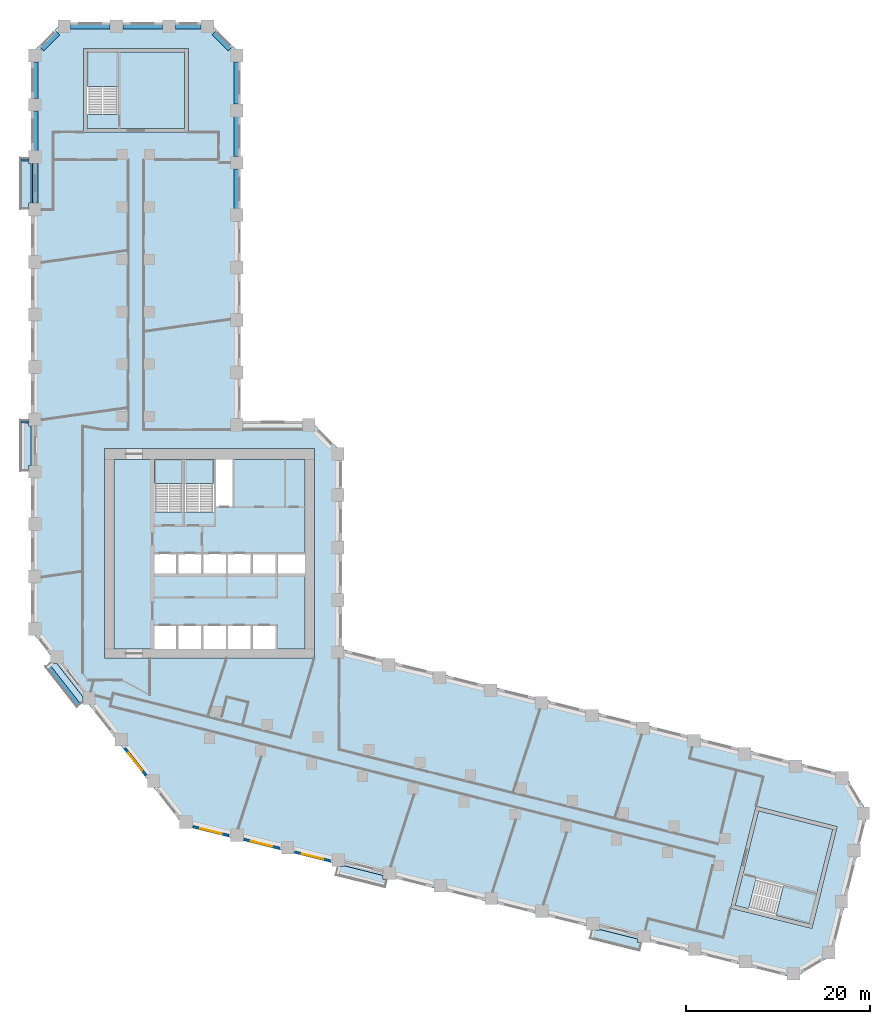
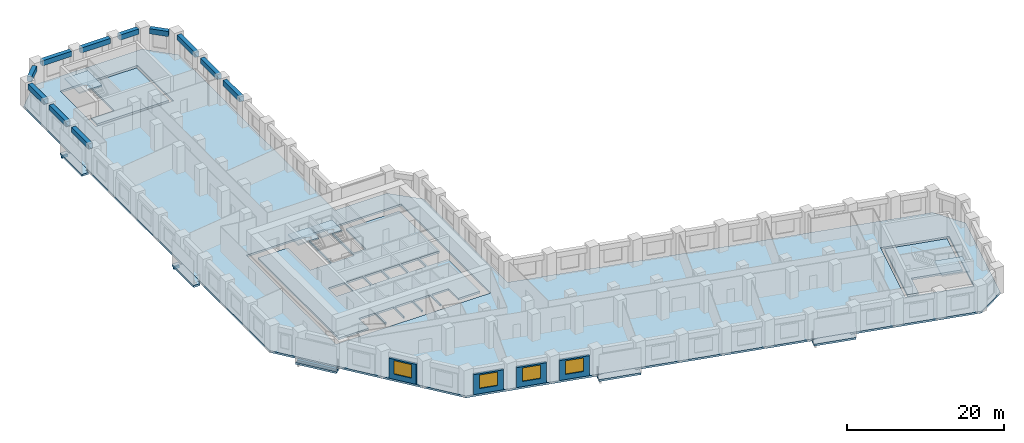
# One storey, part 2 of 12: 13 beams, 13 slabs, 5 walls, 4 windows, 4 openings, 4 elements without a shape of their own.
"""IFC4 building model written with IfcOpenShell, lengths in metres."""

from ifc_helpers import new_model, si_unit, direction, frame, frame_2d, origin, origin_2d, place, context, subcontext, project, spatial, polyline, rectangle, outline, extrude, material, layer, layer_set, material_profile, profile_set, type_object, element, fill, aggregate, save


model = new_model("IFC4")

# Units and contexts
model_context = context("Model", 3, precision=1e-05, world=origin(), true_north=direction((0.0, 1.0)))
body_context = subcontext(model_context, "Body", "Model", "MODEL_VIEW")
ifc_project = project(units=[si_unit("LENGTHUNIT", "METRE"), si_unit("AREAUNIT", "SQUARE_METRE"), si_unit("VOLUMEUNIT", "CUBIC_METRE"), si_unit("PLANEANGLEUNIT", "RADIAN"), si_unit("MASSUNIT", "GRAM", prefix="KILO")], contexts=[model_context])

# Site, building, storey
site_placement = place(None, origin())
site = spatial("IfcSite", under=ifc_project, at=site_placement, CompositionType="ELEMENT")
building_placement = place(site_placement, origin())
building = spatial("IfcBuilding", under=site, at=building_placement, Name="Meshkara Civic Tower", CompositionType="ELEMENT")
storey_placement = place(building_placement, frame((0.0, 0.0, 62.39990234375)))
storey = spatial("IfcBuildingStorey", under=building, at=storey_placement, Name="L13", CompositionType="ELEMENT", Elevation=62.39990234375)

# Beams
ifc_material_1 = material(Name="Concrete C50", Category="concrete")
ifc_material_profile_1 = material_profile(ifc_material_1, rectangle(XDim=0.25, YDim=0.39990234375, at=origin_2d()))
ifc_profile_set_1 = profile_set([ifc_material_profile_1], Name="Concrete C50")
beam_type_1 = type_object("IfcBeamType", Name="Balcony bracket beam RC 250x400 C50", PredefinedType="BEAM", material=ifc_profile_set_1)
for number, where, z_axis, x_axis, name in (
    (1, (-0.2451171875, 68.2548828125, -0.5), (-1.0, 0.0, 0.0), (0.0, -1.0, 0.0), "Balcony bracket beam"),
    (2, (-0.2451171875, 39.7548828125, -0.5), (-1.0, 0.0, 0.0), (0.0, -1.0, 0.0), "Balcony bracket beam"),
):
    element("IfcBeam", number, at=place(storey_placement, frame(where, z_axis=z_axis, x_axis=x_axis)), inside=storey, type_object=beam_type_1, Name=name, PredefinedType="BEAM", context=body_context, shape_type="SweptSolid", body=[
        extrude(rectangle(XDim=0.25, YDim=0.39990234375, at=origin_2d()), origin(), (0.0, 0.0, 1.0), 0.85498046875),
    ])
ifc_material_2 = material(Name="Concrete C70", Category="concrete")
ifc_material_profile_2 = material_profile(ifc_material_2, rectangle(XDim=0.60009765625, YDim=0.800048828125, at=origin_2d()))
ifc_profile_set_2 = profile_set([ifc_material_profile_2], Name="Concrete C70")
beam_type_2 = type_object("IfcBeamType", Name="Spandrel beam RC 600x800 C70", PredefinedType="BEAM", material=ifc_profile_set_2)
beam_1_placement = place(storey_placement, frame((22.35009765625, 62.945068359375, 3.5), z_axis=(0.0, 1.0, 0.0), x_axis=(-1.0, 0.0, 0.0)))
element("IfcBeam", 3, at=beam_1_placement, inside=storey, type_object=beam_type_2, Name="Spandrel beam AE04-AE05", PredefinedType="BEAM", context=body_context, shape_type="SweptSolid", body=[
    extrude(rectangle(XDim=0.60009765625, YDim=0.800048828125, at=origin_2d()), origin(), (0.0, 0.0, 1.0), 4.309814453125),
])
beam_2_placement = place(storey_placement, frame((22.35009765625, 68.64501953125, 3.5), z_axis=(0.0, 1.0, 0.0), x_axis=(-1.0, 0.0, 0.0)))
element("IfcBeam", 4, at=beam_2_placement, inside=storey, type_object=beam_type_2, Name="Spandrel beam AE05-AE06", PredefinedType="BEAM", context=body_context, shape_type="SweptSolid", body=[
    extrude(rectangle(XDim=0.60009765625, YDim=0.800048828125, at=origin_2d()), origin(), (0.0, 0.0, 1.0), 4.31005859375),
])
beam_3_placement = place(storey_placement, frame((22.35009765625, 74.344970703125, 3.5), z_axis=(0.0, 1.0, 0.0), x_axis=(-1.0, 0.0, 0.0)))
element("IfcBeam", 5, at=beam_3_placement, inside=storey, type_object=beam_type_2, Name="Spandrel beam AE06-AEE", PredefinedType="BEAM", context=body_context, shape_type="SweptSolid", body=[
    extrude(rectangle(XDim=0.60009765625, YDim=0.800048828125, at=origin_2d()), origin(), (0.0, 0.0, 1.0), 4.573974609375),
])
beam_4_placement = place(storey_placement, frame((21.653564453125, 80.310546875, 3.5), z_axis=(-0.707155737934, 0.70705782105, 0.0), x_axis=(-0.70705782105, -0.707155737934, 0.0)))
element("IfcBeam", 6, at=beam_4_placement, inside=storey, type_object=beam_type_2, Name="Spandrel beam AEE-ATiE", PredefinedType="BEAM", context=body_context, shape_type="SweptSolid", body=[
    extrude(rectangle(XDim=0.60009765625, YDim=0.800048828125, at=origin_2d()), origin(), (0.0, 0.0, 1.0), 2.493408203125),
])
beam_5_placement = place(storey_placement, frame((18.4990234375, 82.77001953125, 3.5), z_axis=(-1.0, 0.0, 0.0), x_axis=(0.0, -1.0, 0.0)))
element("IfcBeam", 7, at=beam_5_placement, inside=storey, type_object=beam_type_2, Name="Spandrel beam AT02-ATiE", PredefinedType="BEAM", context=body_context, shape_type="SweptSolid", body=[
    extrude(rectangle(XDim=0.60009765625, YDim=0.800048828125, at=origin_2d()), origin(), (0.0, 0.0, 1.0), 2.798095703125),
])
for number, where, z_axis, x_axis, name in (
    (8, (14.31103515625, 82.77001953125, 3.5), (-1.0, 0.0, 0.0), (0.0, -1.0, 0.0), "Spandrel beam AT01-AT02"),
    (9, (8.611083984375, 82.77001953125, 3.5), (-1.0, 0.0, 0.0), (0.0, -1.0, 0.0), "Spandrel beam AT00-AT01"),
):
    element("IfcBeam", number, at=place(storey_placement, frame(where, z_axis=z_axis, x_axis=x_axis)), inside=storey, type_object=beam_type_2, Name=name, PredefinedType="BEAM", context=body_context, shape_type="SweptSolid", body=[
        extrude(rectangle(XDim=0.60009765625, YDim=0.800048828125, at=origin_2d()), origin(), (0.0, 0.0, 1.0), 4.31005859375),
    ])
beam_6_placement = place(storey_placement, frame((2.909423828125, 82.073486328125, 3.5), z_axis=(-0.707106781187, -0.707106781187, 0.0), x_axis=(0.707106781187, -0.707106781187, 0.0)))
element("IfcBeam", 10, at=beam_6_placement, inside=storey, type_object=beam_type_2, Name="Spandrel beam AT00-ATo00", PredefinedType="BEAM", context=body_context, shape_type="SweptSolid", body=[
    extrude(rectangle(XDim=0.60009765625, YDim=0.800048828125, at=origin_2d()), origin(), (0.0, 0.0, 1.0), 2.4931640625),
])
beam_7_placement = place(storey_placement, frame((0.449951171875, 78.9189453125, 3.5), z_axis=(0.0, -1.0, 0.0), x_axis=(1.0, 0.0, 0.0)))
element("IfcBeam", 11, at=beam_7_placement, inside=storey, type_object=beam_type_2, Name="Spandrel beam ATo00-AW10", PredefinedType="BEAM", context=body_context, shape_type="SweptSolid", body=[
    extrude(rectangle(XDim=0.60009765625, YDim=0.800048828125, at=origin_2d()), origin(), (0.0, 0.0, 1.0), 3.968994140625),
])
for number, where, z_axis, x_axis, name in (
    (12, (0.449951171875, 73.56005859375, 3.5), (0.0, -1.0, 0.0), (1.0, 0.0, 0.0), "Spandrel beam AW09-AW10"),
    (13, (0.449951171875, 67.860107421875, 3.5), (0.0, -1.0, 0.0), (1.0, 0.0, 0.0), "Spandrel beam AW08-AW09"),
):
    element("IfcBeam", number, at=place(storey_placement, frame(where, z_axis=z_axis, x_axis=x_axis)), inside=storey, type_object=beam_type_2, Name=name, PredefinedType="BEAM", context=body_context, shape_type="SweptSolid", body=[
        extrude(rectangle(XDim=0.60009765625, YDim=0.800048828125, at=origin_2d()), origin(), (0.0, 0.0, 1.0), 4.31005859375),
    ])

# Slabs
ifc_material_3 = material(Name="Concrete C40", Category="concrete")
ifc_layer_1 = layer(ifc_material_3, 0.300048828125)
ifc_layer_set_1 = layer_set([ifc_layer_1], Name="BALCONY SLAB")
slab_type_1 = type_object("IfcSlabType", Name="BALCONY SLAB", PredefinedType="FLOOR", material=ifc_layer_set_1)
slab_1_placement = place(storey_placement, frame((0.0, 0.0, -0.2998046875)))
element("IfcSlab", 14, at=slab_1_placement, inside=storey, type_object=slab_type_1, Name="Balcony slab", PredefinedType="FLOOR", context=body_context, shape_type="SweptSolid", body=[
    extrude(outline(polyline([(-1.199951171875, 62.9150390625), (-1.199951171875, 68.4951171875), (-0.25, 68.4951171875), (-0.25, 67.85498046875), (0.0, 67.85498046875), (0.0, 63.554931640625), (-0.25, 63.554931640625), (-0.25, 62.9150390625), (-1.199951171875, 62.9150390625)])), origin(), (0.0, 0.0, 1.0), 0.2998046875),
])
slab_2_placement = place(storey_placement, frame((0.0, 0.0, -0.2998046875)))
element("IfcSlab", 15, at=slab_2_placement, inside=storey, type_object=slab_type_1, Name="Balcony slab", PredefinedType="FLOOR", context=body_context, shape_type="SweptSolid", body=[
    extrude(outline(polyline([(-1.199951171875, 34.4150390625), (-1.199951171875, 39.9951171875), (-0.25, 39.9951171875), (-0.25, 39.35498046875), (0.0, 39.35498046875), (0.0, 35.054931640625), (-0.25, 35.054931640625), (-0.25, 34.4150390625), (-1.199951171875, 34.4150390625)])), origin(), (0.0, 0.0, 1.0), 0.2998046875),
])
slab_3_placement = place(storey_placement, frame((0.0, 0.0, -0.2998046875)))
element("IfcSlab", 16, at=slab_3_placement, inside=storey, type_object=slab_type_1, Name="Balcony slab", PredefinedType="FLOOR", context=body_context, shape_type="SweptSolid", body=[
    extrude(outline(polyline([(4.986083984375, 8.76904296875), (1.551025390625, 13.166015625), (2.114013671875, 13.60595703125), (2.114013671875, 13.529052734375), (2.7900390625, 13.529052734375), (5.623046875, 9.903076171875), (5.623046875, 9.26611328125), (4.986083984375, 8.76904296875)])), origin(), (0.0, 0.0, 1.0), 0.2998046875),
])
slab_4_placement = place(storey_placement, frame((0.0, 0.0, -0.2998046875)))
element("IfcSlab", 17, at=slab_4_placement, inside=storey, type_object=slab_type_1, Name="Balcony slab", PredefinedType="FLOOR", context=body_context, shape_type="SweptSolid", body=[
    extrude(outline(polyline([(38.51708984375, -10.840087890625), (33.10205078125, -9.489990234375), (33.330078125, -8.574951171875), (34.14306640625, -8.574951171875), (34.14306640625, -8.512939453125), (38.27392578125, -9.54296875), (38.27392578125, -9.9541015625), (38.738037109375, -9.9541015625), (38.51708984375, -10.840087890625)])), origin(), (0.0, 0.0, 1.0), 0.2998046875),
])
slab_5_placement = place(storey_placement, frame((0.0, 0.0, -0.2998046875)))
element("IfcSlab", 18, at=slab_5_placement, inside=storey, type_object=slab_type_1, Name="Balcony slab", PredefinedType="FLOOR", context=body_context, shape_type="SweptSolid", body=[
    extrude(outline(polyline([(66.169921875, -17.735107421875), (60.756103515625, -16.385009765625), (60.98388671875, -15.468994140625), (61.797119140625, -15.468994140625), (61.797119140625, -15.407958984375), (65.927001953125, -16.43701171875), (65.927001953125, -16.847900390625), (66.39111328125, -16.847900390625), (66.169921875, -17.735107421875)])), origin(), (0.0, 0.0, 1.0), 0.2998046875),
])
ifc_material_4 = material(Name="Concrete C40/50", Category="concrete")
ifc_layer_2 = layer(ifc_material_4, 0.300048828125)
ifc_layer_set_2 = layer_set([ifc_layer_2], Name="Core floor slab 300 C40/50")
slab_type_2 = type_object("IfcSlabType", Name="Core floor slab 300 C40/50", PredefinedType="FLOOR", material=ifc_layer_set_2)
slab_6_placement = place(storey_placement, frame((0.0, 0.0, -0.2998046875)))
element("IfcSlab", 19, at=slab_6_placement, inside=storey, type_object=slab_type_2, Name="Core floor K", PredefinedType="FLOOR", context=body_context, shape_type="SweptSolid", body=[
    extrude(outline(polyline([(9.0, 35.699951171875), (13.39990234375, 35.699951171875), (13.39990234375, 30.00146484375), (16.5, 30.00146484375), (16.5, 35.699951171875), (16.699951171875, 35.699951171875), (16.699951171875, 30.00146484375), (19.89990234375, 30.00146484375), (19.89990234375, 35.699951171875), (20.10009765625, 35.699951171875), (20.10009765625, 30.574951171875), (21.925048828125, 30.574951171875), (21.925048828125, 35.699951171875), (29.800048828125, 35.699951171875), (29.800048828125, 25.39990234375), (26.800048828125, 25.39990234375), (26.800048828125, 23.300048828125), (29.800048828125, 23.300048828125), (29.800048828125, 15.10009765625), (26.60009765625, 15.10009765625), (26.60009765625, 17.60009765625), (24.10009765625, 17.60009765625), (24.10009765625, 15.10009765625), (23.89990234375, 15.10009765625), (23.89990234375, 17.60009765625), (21.39990234375, 17.60009765625), (21.39990234375, 15.10009765625), (21.199951171875, 15.10009765625), (21.199951171875, 17.60009765625), (18.699951171875, 17.60009765625), (18.699951171875, 15.10009765625), (18.5, 15.10009765625), (18.5, 17.60009765625), (16.0, 17.60009765625), (16.0, 15.10009765625), (15.800048828125, 15.10009765625), (15.800048828125, 17.60009765625), (13.39990234375, 17.60009765625), (13.39990234375, 15.10009765625), (9.0, 15.10009765625), (9.0, 35.699951171875)]), holes=[polyline([(13.39990234375, 25.39990234375), (13.39990234375, 23.300048828125), (15.800048828125, 23.300048828125), (15.800048828125, 25.39990234375), (13.39990234375, 25.39990234375)]), polyline([(18.5, 23.300048828125), (18.5, 25.39990234375), (16.0, 25.39990234375), (16.0, 23.300048828125), (18.5, 23.300048828125)]), polyline([(18.699951171875, 25.39990234375), (18.699951171875, 23.300048828125), (21.199951171875, 23.300048828125), (21.199951171875, 25.39990234375), (18.699951171875, 25.39990234375)]), polyline([(21.39990234375, 23.300048828125), (23.89990234375, 23.300048828125), (23.89990234375, 25.39990234375), (21.39990234375, 25.39990234375), (21.39990234375, 23.300048828125)]), polyline([(26.60009765625, 25.39990234375), (24.10009765625, 25.39990234375), (24.10009765625, 23.300048828125), (26.60009765625, 23.300048828125), (26.60009765625, 25.39990234375)])]), origin(), (0.0, 0.0, 1.0), 0.2998046875),
])
slab_7_placement = place(storey_placement, frame((0.0, 0.0, -0.2998046875)))
element("IfcSlab", 20, at=slab_7_placement, inside=storey, type_object=slab_type_2, Name="Core floor EA", PredefinedType="FLOOR", context=body_context, shape_type="SweptSolid", body=[
    extrude(outline(polyline([(16.699951171875, 71.669921875), (16.699951171875, 79.969970703125), (9.5, 79.969970703125), (9.5, 73.17138671875), (6.10009765625, 73.17138671875), (6.10009765625, 71.669921875), (16.699951171875, 71.669921875)])), origin(), (0.0, 0.0, 1.0), 0.2998046875),
])
slab_8_placement = place(storey_placement, frame((0.0, 0.0, -0.2998046875)))
element("IfcSlab", 21, at=slab_8_placement, inside=storey, type_object=slab_type_2, Name="Core floor EB", PredefinedType="FLOOR", context=body_context, shape_type="SweptSolid", body=[
    extrude(outline(polyline([(79.11181640625, -2.513671875), (87.165283203125, -4.521484375), (85.423583984375, -11.507568359375), (78.826904296875, -9.863037109375), (78.00439453125, -13.161865234375), (76.547607421875, -12.798583984375), (79.11181640625, -2.513671875)])), origin(), (0.0, 0.0, 1.0), 0.2998046875),
])

# Stair, slab
ifc_material_5 = material(Name="Precast concrete C40/50", Category="concrete")
stair_type_1 = type_object("IfcStairType", Name="Exit stair half-turn 24 risers precast", PredefinedType="HALF_TURN_STAIR", material=ifc_material_5)
stair_1_placement = place(storey_placement, origin())
stair_1 = element("IfcStair", 22, at=stair_1_placement, inside=storey, type_object=stair_type_1, Name="L13 exit stair 1", PredefinedType="HALF_TURN_STAIR")
ifc_material_6 = material(Name="Precast concrete C40/50", Category="concrete")
ifc_layer_3 = layer(ifc_material_6, 0.199951171875)
ifc_layer_set_3 = layer_set([ifc_layer_3], Name="Exit stair landing 200")
slab_type_3 = type_object("IfcSlabType", Name="Exit stair landing 200", PredefinedType="LANDING", material=ifc_layer_set_3)
slab_9_placement = place(storey_placement, frame((0.0, 0.0, 1.900146484375)))
slab_9 = element("IfcSlab", 23, at=slab_9_placement, type_object=slab_type_3, Name="ST1 landing 1", PredefinedType="LANDING", context=body_context, shape_type="SweptSolid", body=[
    extrude(outline(polyline([(16.5, 33.07861328125), (16.5, 35.699951171875), (13.39990234375, 35.699951171875), (13.39990234375, 33.07861328125), (16.5, 33.07861328125)])), origin(), (0.0, 0.0, 1.0), 0.199951171875),
])
aggregate(stair_1, [slab_9])

stair_2_placement = place(storey_placement, origin())
stair_2 = element("IfcStair", 24, at=stair_2_placement, inside=storey, type_object=stair_type_1, Name="L13 exit stair 2", PredefinedType="HALF_TURN_STAIR")
slab_10_placement = place(storey_placement, frame((0.0, 0.0, 1.900146484375)))
slab_10 = element("IfcSlab", 25, at=slab_10_placement, type_object=slab_type_3, Name="ST2 landing 1", PredefinedType="LANDING", context=body_context, shape_type="SweptSolid", body=[
    extrude(outline(polyline([(19.89990234375, 33.07861328125), (19.89990234375, 35.699951171875), (16.699951171875, 35.699951171875), (16.699951171875, 33.07861328125), (19.89990234375, 33.07861328125)])), origin(), (0.0, 0.0, 1.0), 0.199951171875),
])
aggregate(stair_2, [slab_10])

ifc_material_7 = material(Name="Precast concrete C40/50", Category="concrete")
stair_type_2 = type_object("IfcStairType", Name="Exit stair half-turn 24 risers 1500 precast", PredefinedType="HALF_TURN_STAIR", material=ifc_material_7)
stair_3_placement = place(storey_placement, origin())
stair_3 = element("IfcStair", 26, at=stair_3_placement, inside=storey, type_object=stair_type_2, Name="L13 exit stair A from B2", PredefinedType="HALF_TURN_STAIR")
slab_11_placement = place(storey_placement, frame((0.0, 0.0, 1.900146484375)))
slab_11 = element("IfcSlab", 27, at=slab_11_placement, type_object=slab_type_3, Name="ESA1 landing 1", PredefinedType="LANDING", context=body_context, shape_type="SweptSolid", body=[
    extrude(outline(polyline([(9.5, 76.24853515625), (9.5, 79.969970703125), (6.10009765625, 79.969970703125), (6.10009765625, 76.24853515625), (9.5, 76.24853515625)])), origin(), (0.0, 0.0, 1.0), 0.199951171875),
])
aggregate(stair_3, [slab_11])

stair_4_placement = place(storey_placement, origin())
stair_4 = element("IfcStair", 28, at=stair_4_placement, inside=storey, type_object=stair_type_2, Name="L13 exit stair B from B2", PredefinedType="HALF_TURN_STAIR")
slab_12_placement = place(storey_placement, frame((0.0, 0.0, 1.900146484375)))
slab_12 = element("IfcSlab", 29, at=slab_12_placement, type_object=slab_type_3, Name="ESB1 landing 1", PredefinedType="LANDING", context=body_context, shape_type="SweptSolid", body=[
    extrude(outline(polyline([(80.98974609375, -13.9072265625), (84.600830078125, -14.80810546875), (85.424072265625, -11.50830078125), (81.81298828125, -10.607421875), (80.98974609375, -13.9072265625)])), origin(), (0.0, 0.0, 1.0), 0.199951171875),
])
aggregate(stair_4, [slab_12])

# Slab
ifc_material_8 = material(Name="Concrete C50", Category="concrete")
ifc_layer_4 = layer(ifc_material_8, 0.300048828125)
ifc_layer_set_4 = layer_set([ifc_layer_4], Name="Post-tensioned flat slab 300 C50")
slab_type_4 = type_object("IfcSlabType", Name="Post-tensioned flat slab 300 C50", PredefinedType="FLOOR", material=ifc_layer_set_4)
slab_13_placement = place(storey_placement, frame((0.0, 0.0, -0.2998046875)))
element("IfcSlab", 30, at=slab_13_placement, inside=storey, type_object=slab_type_4, Name="Post-tensioned flat slab L13", PredefinedType="FLOOR", context=body_context, shape_type="SweptSolid", body=[
    extrude(outline(polyline([(87.10595703125, -18.193115234375), (82.9599609375, -20.68408203125), (16.592041015625, -4.136962890625), (0.0, 17.10009765625), (0.0, 79.800048828125), (3.419921875, 83.219970703125), (19.3798828125, 83.219970703125), (22.800048828125, 79.800048828125), (22.800048828125, 39.89990234375), (30.3798828125, 39.89990234375), (33.800048828125, 36.47998046875), (33.800048828125, 15.071044921875), (88.47607421875, 1.43798828125), (90.967041015625, -2.70703125), (87.10595703125, -18.193115234375)]), holes=[polyline([(84.89208984375, -15.2919921875), (87.64990234375, -4.22998046875), (78.821044921875, -2.029052734375), (76.06298828125, -13.090087890625), (84.89208984375, -15.2919921875)]), polyline([(8.0, 14.10009765625), (30.800048828125, 14.10009765625), (30.800048828125, 36.89990234375), (8.0, 36.89990234375), (8.0, 14.10009765625)]), polyline([(5.699951171875, 80.3701171875), (5.699951171875, 71.27001953125), (17.10009765625, 71.27001953125), (17.10009765625, 80.3701171875), (5.699951171875, 80.3701171875)])]), origin(), (0.0, 0.0, 1.0), 0.2998046875),
])

# Wall, opening, window
ifc_material_9 = material(Name="Insulated infill panel with bronze anodised aluminium cladding", Category="aluminium")
ifc_layer_5 = layer(ifc_material_9, 0.300048828125)
ifc_layer_set_5 = layer_set([ifc_layer_5], Name="EXTERNAL INFILL WALL 300")
wall_type_1 = type_object("IfcWallType", Name="EXTERNAL INFILL WALL 300", PredefinedType="SOLIDWALL", material=ifc_layer_set_5)
wall_1_placement = place(storey_placement, frame((10.201904296875, 4.285888671875, 0.0), z_axis=(0.0, 0.0, 1.0), x_axis=(0.615636430057, -0.788030320474, 0.0)))
wall_1 = element("IfcWall", 31, at=wall_1_placement, inside=storey, type_object=wall_type_1, Name="External wall", PredefinedType="SOLIDWALL", context=body_context, shape_type="SweptSolid", body=[
    extrude(rectangle(XDim=3.734375, YDim=0.300048828125, at=frame_2d((1.8671875, 0.0))), origin(), (0.0, 0.0, 1.0), 3.10009765625),
])
opening_1_placement = place(wall_1_placement, frame((0.6669921875, 0.0, 0.800048828125)))
opening_1 = element("IfcOpeningElement", 32, at=opening_1_placement, cuts=wall_1, Name="Opening W7", PredefinedType="OPENING", context=body_context, shape_type="SweptSolid", body=[
    extrude(rectangle(XDim=2.39990234375, YDim=2.10009765625, at=frame_2d((1.199951171875, 1.050048828125))), frame((0.0, 0.159912109375, 0.0), z_axis=(0.0, -1.0, 0.0), x_axis=(1.0, 0.0, 0.0)), (0.0, 0.0, 1.0), 0.320068359375),
])
ifc_material_10 = material(Name="Tinted double glazing", Category="glass")
window_type = type_object("IfcWindowType", Name="WINDOW 2400x2100", PartitioningType="DOUBLE_PANEL_VERTICAL", PredefinedType="WINDOW", material=ifc_material_10)
window_1_placement = place(opening_1_placement, origin())
window_1 = element("IfcWindow", 33, at=window_1_placement, inside=storey, type_object=window_type, Name="Window", OverallHeight=2.10009765625, OverallWidth=2.39990234375, PartitioningType="DOUBLE_PANEL_VERTICAL", PredefinedType="WINDOW", context=body_context, shape_type="SweptSolid", body=[
    extrude(rectangle(XDim=2.39990234375, YDim=2.10009765625, at=frame_2d((1.199951171875, 1.050048828125))), frame((0.0, 0.030029296875, 0.0), z_axis=(0.0, -1.0, 0.0), x_axis=(1.0, 0.0, 0.0)), (0.0, 0.0, 1.0), 0.06005859375),
])
fill(opening_1, window_1)

wall_2_placement = place(storey_placement, frame((17.60205078125, -4.23388671875, 0.0), z_axis=(0.0, 0.0, 1.0), x_axis=(0.970260773365, -0.242062040951, 0.0)))
wall_2 = element("IfcWall", 34, at=wall_2_placement, inside=storey, type_object=wall_type_1, Name="External wall", PredefinedType="SOLIDWALL", context=body_context, shape_type="SweptSolid", body=[
    extrude(rectangle(XDim=4.003173828125, YDim=0.300048828125, at=frame_2d((2.00146484375, 0.0))), origin(), (0.0, 0.0, 1.0), 3.10009765625),
])
opening_2_placement = place(wall_2_placement, frame((0.802001953125, 0.0, 0.800048828125)))
opening_2 = element("IfcOpeningElement", 35, at=opening_2_placement, cuts=wall_2, Name="Opening W7", PredefinedType="OPENING", context=body_context, shape_type="SweptSolid", body=[
    extrude(rectangle(XDim=2.39990234375, YDim=2.10009765625, at=frame_2d((1.199951171875, 1.050048828125))), frame((0.0, 0.159912109375, 0.0), z_axis=(0.0, -1.0, 0.0), x_axis=(1.0, 0.0, 0.0)), (0.0, 0.0, 1.0), 0.320068359375),
])
window_2_placement = place(opening_2_placement, origin())
window_2 = element("IfcWindow", 36, at=window_2_placement, inside=storey, type_object=window_type, Name="Window", OverallHeight=2.10009765625, OverallWidth=2.39990234375, PartitioningType="DOUBLE_PANEL_VERTICAL", PredefinedType="WINDOW", context=body_context, shape_type="SweptSolid", body=[
    extrude(rectangle(XDim=2.39990234375, YDim=2.10009765625, at=frame_2d((1.199951171875, 1.050048828125))), frame((0.0, 0.030029296875, 0.0), z_axis=(0.0, -1.0, 0.0), x_axis=(1.0, 0.0, 0.0)), (0.0, 0.0, 1.0), 0.06005859375),
])
fill(opening_2, window_2)

wall_3_placement = place(storey_placement, frame((23.133056640625, -5.613037109375, 0.0), z_axis=(0.0, 0.0, 1.0), x_axis=(0.970303772127, -0.241889623168, 0.0)))
wall_3 = element("IfcWall", 37, at=wall_3_placement, inside=storey, type_object=wall_type_1, Name="External wall", PredefinedType="SOLIDWALL", context=body_context, shape_type="SweptSolid", body=[
    extrude(rectangle(XDim=4.001953125, YDim=0.300048828125, at=frame_2d((2.0009765625, 0.0))), origin(), (0.0, 0.0, 1.0), 3.10009765625),
])
opening_3_placement = place(wall_3_placement, frame((0.801025390625, 0.0, 0.800048828125)))
opening_3 = element("IfcOpeningElement", 38, at=opening_3_placement, cuts=wall_3, Name="Opening W7", PredefinedType="OPENING", context=body_context, shape_type="SweptSolid", body=[
    extrude(rectangle(XDim=2.39990234375, YDim=2.10009765625, at=frame_2d((1.199951171875, 1.050048828125))), frame((0.0, 0.159912109375, 0.0), z_axis=(0.0, -1.0, 0.0), x_axis=(1.0, 0.0, 0.0)), (0.0, 0.0, 1.0), 0.320068359375),
])
window_3_placement = place(opening_3_placement, origin())
window_3 = element("IfcWindow", 39, at=window_3_placement, inside=storey, type_object=window_type, Name="Window", OverallHeight=2.10009765625, OverallWidth=2.39990234375, PartitioningType="DOUBLE_PANEL_VERTICAL", PredefinedType="WINDOW", context=body_context, shape_type="SweptSolid", body=[
    extrude(rectangle(XDim=2.39990234375, YDim=2.10009765625, at=frame_2d((1.199951171875, 1.050048828125))), frame((0.0, 0.030029296875, 0.0), z_axis=(0.0, -1.0, 0.0), x_axis=(1.0, 0.0, 0.0)), (0.0, 0.0, 1.0), 0.06005859375),
])
fill(opening_3, window_3)

wall_4_placement = place(storey_placement, frame((28.6630859375, -6.991943359375, 0.0), z_axis=(0.0, 0.0, 1.0), x_axis=(0.970318045095, -0.24183236211, 0.0)))
wall_4 = element("IfcWall", 40, at=wall_4_placement, inside=storey, type_object=wall_type_1, Name="External wall", PredefinedType="SOLIDWALL", context=body_context, shape_type="SweptSolid", body=[
    extrude(rectangle(XDim=4.0029296875, YDim=0.300048828125, at=frame_2d((2.00146484375, 0.0))), origin(), (0.0, 0.0, 1.0), 3.10009765625),
])
opening_4_placement = place(wall_4_placement, frame((0.802001953125, 0.0, 0.800048828125)))
opening_4 = element("IfcOpeningElement", 41, at=opening_4_placement, cuts=wall_4, Name="Opening W7", PredefinedType="OPENING", context=body_context, shape_type="SweptSolid", body=[
    extrude(rectangle(XDim=2.39990234375, YDim=2.10009765625, at=frame_2d((1.199951171875, 1.050048828125))), frame((0.0, 0.159912109375, 0.0), z_axis=(0.0, -1.0, 0.0), x_axis=(1.0, 0.0, 0.0)), (0.0, 0.0, 1.0), 0.320068359375),
])
window_4_placement = place(opening_4_placement, origin())
window_4 = element("IfcWindow", 42, at=window_4_placement, inside=storey, type_object=window_type, Name="Window", OverallHeight=2.10009765625, OverallWidth=2.39990234375, PartitioningType="DOUBLE_PANEL_VERTICAL", PredefinedType="WINDOW", context=body_context, shape_type="SweptSolid", body=[
    extrude(rectangle(XDim=2.39990234375, YDim=2.10009765625, at=frame_2d((1.199951171875, 1.050048828125))), frame((0.0, 0.030029296875, 0.0), z_axis=(0.0, -1.0, 0.0), x_axis=(1.0, 0.0, 0.0)), (0.0, 0.0, 1.0), 0.06005859375),
])
fill(opening_4, window_4)

# Wall
ifc_material_11 = material(Name="Concrete C40", Category="concrete")
ifc_layer_6 = layer(ifc_material_11, 0.39990234375)
ifc_layer_set_6 = layer_set([ifc_layer_6], Name="PLANTER TRAY")
wall_type_2 = type_object("IfcWallType", Name="PLANTER TRAY", PredefinedType="SOLIDWALL", material=ifc_layer_set_6)
wall_5_placement = place(storey_placement, frame((1.87109375, 13.27587890625, 0.0), z_axis=(0.0, 0.0, 1.0), x_axis=(0.615632551218, -0.788033350741, 0.0)))
element("IfcWall", 43, at=wall_5_placement, inside=storey, type_object=wall_type_2, Name="Planter", PredefinedType="SOLIDWALL", context=body_context, shape_type="SweptSolid", body=[
    extrude(rectangle(XDim=5.360107421875, YDim=0.39990234375, at=frame_2d((2.68017578125, 0.0))), origin(), (0.0, 0.0, 1.0), 0.300048828125),
])

save(model, "model.ifc")
